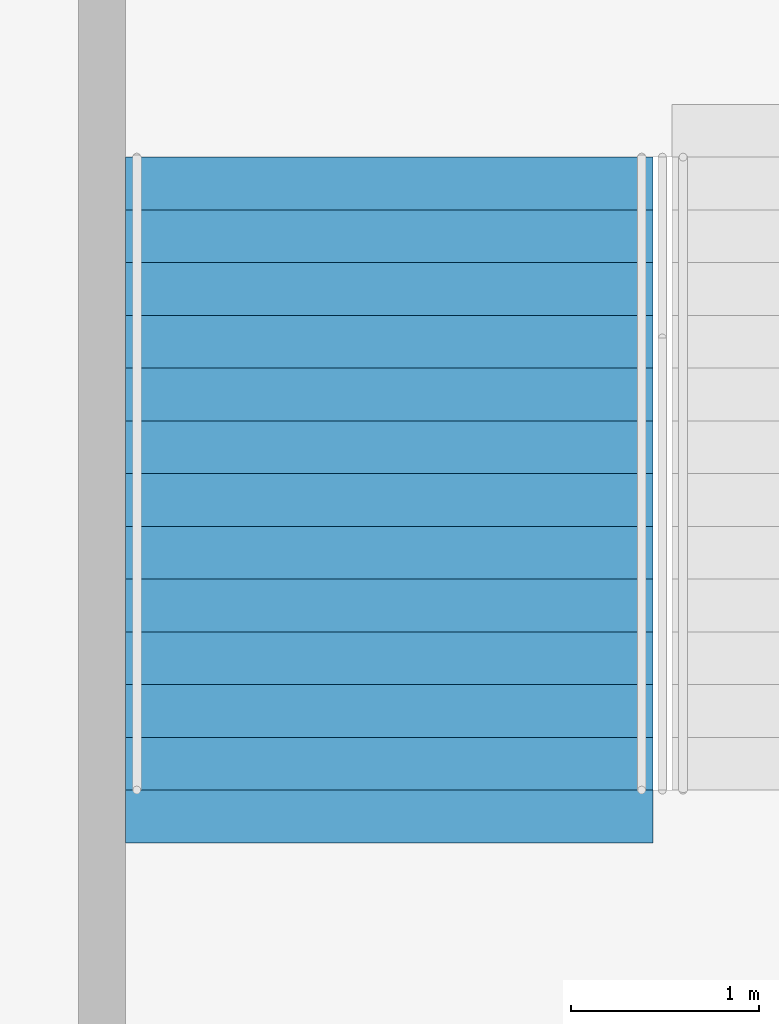
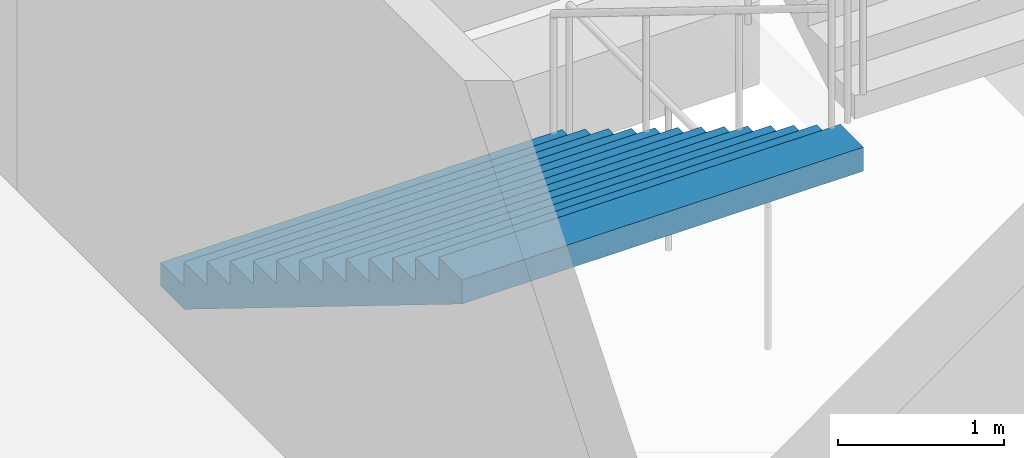
# One storey, part 117 of 199: 1 stair flight, 1 element without a shape of its own.
"""IFC4 building model written with IfcOpenShell, lengths in metres."""

from ifc_helpers import new_model, si_unit, direction, frame, origin, place, context, subcontext, project, spatial, faceted_brep, material, type_object, element, aggregate, save


model = new_model("IFC4")

# Units and contexts
model_context = context("Model", 3, precision=1e-05, world=origin(), true_north=direction((0.0, 1.0)))
body_context = subcontext(model_context, "Body", "Model", "MODEL_VIEW")
ifc_project = project(units=[si_unit("LENGTHUNIT", "METRE"), si_unit("AREAUNIT", "SQUARE_METRE"), si_unit("VOLUMEUNIT", "CUBIC_METRE"), si_unit("PLANEANGLEUNIT", "RADIAN"), si_unit("MASSUNIT", "GRAM", prefix="KILO")], contexts=[model_context])

# Site, building, storey
site_placement = place(None, origin())
site = spatial("IfcSite", under=ifc_project, at=site_placement, CompositionType="ELEMENT")
building_placement = place(site_placement, origin())
building = spatial("IfcBuilding", under=site, at=building_placement, Name="Ogive Plaza Stadium", CompositionType="ELEMENT")
storey_placement = place(building_placement, frame((0.0, 0.0, 9.0)))
storey = spatial("IfcBuildingStorey", under=building, at=storey_placement, Name="L02", CompositionType="ELEMENT", Elevation=9.0)

# Stair, stair flight
ifc_material_1 = material(Name="Concrete C40/50", Category="concrete")
stair_type = type_object("IfcStairType", Name="Exit stair", PredefinedType="STRAIGHT_RUN_STAIR", material=ifc_material_1)
stair_placement = place(storey_placement, origin())
stair = element("IfcStair", 1, at=stair_placement, inside=storey, type_object=stair_type, Name="Exit stair ST14A L02 to L03", PredefinedType="STRAIGHT_RUN_STAIR")
ifc_material_2 = material(Name="Concrete C40/50", Category="concrete")
stair_flight_type = type_object("IfcStairFlightType", Name="Exit stair flight", PredefinedType="STRAIGHT", material=ifc_material_2)
stair_flight_placement = place(storey_placement, frame((2.375, -94.85009765625, 0.0), z_axis=(0.0, 0.0, 1.0), x_axis=(0.0, -1.0, 0.0)))
stair_flight = element("IfcStairFlight", 2, at=stair_flight_placement, type_object=stair_flight_type, Name="ST14A flight 1", NumberOfRisers=13, NumberOfTreads=12, PredefinedType="STRAIGHT", RiserHeight=0.173076923, TreadLength=0.28, context=body_context, shape_type="Brep", body=[
    faceted_brep([(0.28515625, -1.39990234375, 0.0), (3.639892578125, -1.39990234375, 2.07373046875), (3.639892578125, -1.39990234375, 2.25), (3.360107421875, -1.39990234375, 2.25), (3.360107421875, -1.39990234375, 2.076904296875), (3.080078125, -1.39990234375, 2.076904296875), (3.080078125, -1.39990234375, 1.90380859375), (2.800048828125, -1.39990234375, 1.90380859375), (2.800048828125, -1.39990234375, 1.730712890625), (2.52001953125, -1.39990234375, 1.730712890625), (2.52001953125, -1.39990234375, 1.5576171875), (2.239990234375, -1.39990234375, 1.5576171875), (2.239990234375, -1.39990234375, 1.384521484375), (1.9599609375, -1.39990234375, 1.384521484375), (1.9599609375, -1.39990234375, 1.21142578125), (1.679931640625, -1.39990234375, 1.21142578125), (1.679931640625, -1.39990234375, 1.03857421875), (1.39990234375, -1.39990234375, 1.03857421875), (1.39990234375, -1.39990234375, 0.865478515625), (1.1201171875, -1.39990234375, 0.865478515625), (1.1201171875, -1.39990234375, 0.6923828125), (0.840087890625, -1.39990234375, 0.6923828125), (0.840087890625, -1.39990234375, 0.519287109375), (0.56005859375, -1.39990234375, 0.519287109375), (0.56005859375, -1.39990234375, 0.34619140625), (0.280029296875, -1.39990234375, 0.34619140625), (0.280029296875, -1.39990234375, 0.173095703125), (0.0, -1.39990234375, 0.173095703125), (0.0, -1.39990234375, 0.0), (0.0, 1.39990234375, 0.0), (0.0, 1.39990234375, 0.173095703125), (0.280029296875, 1.39990234375, 0.173095703125), (0.280029296875, 1.39990234375, 0.34619140625), (0.56005859375, 1.39990234375, 0.34619140625), (0.56005859375, 1.39990234375, 0.519287109375), (0.840087890625, 1.39990234375, 0.519287109375), (0.840087890625, 1.39990234375, 0.6923828125), (1.1201171875, 1.39990234375, 0.6923828125), (1.1201171875, 1.39990234375, 0.865478515625), (1.39990234375, 1.39990234375, 0.865478515625), (1.39990234375, 1.39990234375, 1.03857421875), (1.679931640625, 1.39990234375, 1.03857421875), (1.679931640625, 1.39990234375, 1.21142578125), (1.9599609375, 1.39990234375, 1.21142578125), (1.9599609375, 1.39990234375, 1.384521484375), (2.239990234375, 1.39990234375, 1.384521484375), (2.239990234375, 1.39990234375, 1.5576171875), (2.52001953125, 1.39990234375, 1.5576171875), (2.52001953125, 1.39990234375, 1.730712890625), (2.800048828125, 1.39990234375, 1.730712890625), (2.800048828125, 1.39990234375, 1.90380859375), (3.080078125, 1.39990234375, 1.90380859375), (3.080078125, 1.39990234375, 2.076904296875), (3.360107421875, 1.39990234375, 2.076904296875), (3.360107421875, 1.39990234375, 2.25), (3.639892578125, 1.39990234375, 2.25), (3.639892578125, 1.39990234375, 2.07373046875), (0.28515625, 1.39990234375, 0.0), (0.28515625, -1.0888671875, 0.0), (3.639892578125, -1.0888671875, 2.07373046875), (0.28515625, -0.77783203125, 0.0), (3.639892578125, -0.77783203125, 2.07373046875), (0.28515625, -0.466796875, 0.0), (3.639892578125, -0.466796875, 2.07373046875), (0.28515625, -0.155517578125, 0.0), (3.639892578125, -0.155517578125, 2.07373046875), (0.28515625, 0.155517578125, 0.0), (3.639892578125, 0.155517578125, 2.07373046875), (0.28515625, 0.466796875, 0.0), (3.639892578125, 0.466796875, 2.07373046875), (0.28515625, 0.77783203125, 0.0), (3.639892578125, 0.77783203125, 2.07373046875), (0.28515625, 1.0888671875, 0.0), (3.639892578125, 1.0888671875, 2.07373046875), (3.639892578125, -1.0888671875, 2.25), (3.639892578125, -0.77783203125, 2.25), (3.639892578125, -0.466796875, 2.25), (3.639892578125, -0.155517578125, 2.25), (3.639892578125, 0.155517578125, 2.25), (3.639892578125, 0.466796875, 2.25), (3.639892578125, 0.77783203125, 2.25), (3.639892578125, 1.0888671875, 2.25), (3.360107421875, -1.0888671875, 2.25), (3.360107421875, -0.77783203125, 2.25), (3.360107421875, -0.466796875, 2.25), (3.360107421875, -0.155517578125, 2.25), (3.360107421875, 0.155517578125, 2.25), (3.360107421875, 0.466796875, 2.25), (3.360107421875, 0.77783203125, 2.25), (3.360107421875, 1.0888671875, 2.25), (3.360107421875, -1.0888671875, 2.076904296875), (3.360107421875, -0.77783203125, 2.076904296875), (3.360107421875, -0.466796875, 2.076904296875), (3.360107421875, -0.155517578125, 2.076904296875), (3.360107421875, 0.155517578125, 2.076904296875), (3.360107421875, 0.466796875, 2.076904296875), (3.360107421875, 0.77783203125, 2.076904296875), (3.360107421875, 1.0888671875, 2.076904296875), (3.080078125, -1.0888671875, 2.076904296875), (3.080078125, -0.77783203125, 2.076904296875), (3.080078125, -0.466796875, 2.076904296875), (3.080078125, -0.155517578125, 2.076904296875), (3.080078125, 0.155517578125, 2.076904296875), (3.080078125, 0.466796875, 2.076904296875), (3.080078125, 0.77783203125, 2.076904296875), (3.080078125, 1.0888671875, 2.076904296875), (3.080078125, -1.0888671875, 1.90380859375), (3.080078125, -0.77783203125, 1.90380859375), (3.080078125, -0.466796875, 1.90380859375), (3.080078125, -0.155517578125, 1.90380859375), (3.080078125, 0.155517578125, 1.90380859375), (3.080078125, 0.466796875, 1.90380859375), (3.080078125, 0.77783203125, 1.90380859375), (3.080078125, 1.0888671875, 1.90380859375), (2.800048828125, -1.0888671875, 1.90380859375), (2.800048828125, -0.77783203125, 1.90380859375), (2.800048828125, -0.466796875, 1.90380859375), (2.800048828125, -0.155517578125, 1.90380859375), (2.800048828125, 0.155517578125, 1.90380859375), (2.800048828125, 0.466796875, 1.90380859375), (2.800048828125, 0.77783203125, 1.90380859375), (2.800048828125, 1.0888671875, 1.90380859375), (2.800048828125, -1.0888671875, 1.730712890625), (2.800048828125, -0.77783203125, 1.730712890625), (2.800048828125, -0.466796875, 1.730712890625), (2.800048828125, -0.155517578125, 1.730712890625), (2.800048828125, 0.155517578125, 1.730712890625), (2.800048828125, 0.466796875, 1.730712890625), (2.800048828125, 0.77783203125, 1.730712890625), (2.800048828125, 1.0888671875, 1.730712890625), (2.52001953125, -1.0888671875, 1.730712890625), (2.52001953125, -0.77783203125, 1.730712890625), (2.52001953125, -0.466796875, 1.730712890625), (2.52001953125, -0.155517578125, 1.730712890625), (2.52001953125, 0.155517578125, 1.730712890625), (2.52001953125, 0.466796875, 1.730712890625), (2.52001953125, 0.77783203125, 1.730712890625), (2.52001953125, 1.0888671875, 1.730712890625), (2.52001953125, -1.0888671875, 1.5576171875), (2.52001953125, -0.77783203125, 1.5576171875), (2.52001953125, -0.466796875, 1.5576171875), (2.52001953125, -0.155517578125, 1.5576171875), (2.52001953125, 0.155517578125, 1.5576171875), (2.52001953125, 0.466796875, 1.5576171875), (2.52001953125, 0.77783203125, 1.5576171875), (2.52001953125, 1.0888671875, 1.5576171875), (2.239990234375, -1.0888671875, 1.5576171875), (2.239990234375, -0.77783203125, 1.5576171875), (2.239990234375, -0.466796875, 1.5576171875), (2.239990234375, -0.155517578125, 1.5576171875), (2.239990234375, 0.155517578125, 1.5576171875), (2.239990234375, 0.466796875, 1.5576171875), (2.239990234375, 0.77783203125, 1.5576171875), (2.239990234375, 1.0888671875, 1.5576171875), (2.239990234375, -1.0888671875, 1.384521484375), (2.239990234375, -0.77783203125, 1.384521484375), (2.239990234375, -0.466796875, 1.384521484375), (2.239990234375, -0.155517578125, 1.384521484375), (2.239990234375, 0.155517578125, 1.384521484375), (2.239990234375, 0.466796875, 1.384521484375), (2.239990234375, 0.77783203125, 1.384521484375), (2.239990234375, 1.0888671875, 1.384521484375), (1.9599609375, -1.0888671875, 1.384521484375), (1.9599609375, -0.77783203125, 1.384521484375), (1.9599609375, -0.466796875, 1.384521484375), (1.9599609375, -0.155517578125, 1.384521484375), (1.9599609375, 0.155517578125, 1.384521484375), (1.9599609375, 0.466796875, 1.384521484375), (1.9599609375, 0.77783203125, 1.384521484375), (1.9599609375, 1.0888671875, 1.384521484375), (1.9599609375, -1.0888671875, 1.21142578125), (1.9599609375, -0.77783203125, 1.21142578125), (1.9599609375, -0.466796875, 1.21142578125), (1.9599609375, -0.155517578125, 1.21142578125), (1.9599609375, 0.155517578125, 1.21142578125), (1.9599609375, 0.466796875, 1.21142578125), (1.9599609375, 0.77783203125, 1.21142578125), (1.9599609375, 1.0888671875, 1.21142578125), (1.679931640625, -1.0888671875, 1.21142578125), (1.679931640625, -0.77783203125, 1.21142578125), (1.679931640625, -0.466796875, 1.21142578125), (1.679931640625, -0.155517578125, 1.21142578125), (1.679931640625, 0.155517578125, 1.21142578125), (1.679931640625, 0.466796875, 1.21142578125), (1.679931640625, 0.77783203125, 1.21142578125), (1.679931640625, 1.0888671875, 1.21142578125), (1.679931640625, -1.0888671875, 1.03857421875), (1.679931640625, -0.77783203125, 1.03857421875), (1.679931640625, -0.466796875, 1.03857421875), (1.679931640625, -0.155517578125, 1.03857421875), (1.679931640625, 0.155517578125, 1.03857421875), (1.679931640625, 0.466796875, 1.03857421875), (1.679931640625, 0.77783203125, 1.03857421875), (1.679931640625, 1.0888671875, 1.03857421875), (1.39990234375, -1.0888671875, 1.03857421875), (1.39990234375, -0.77783203125, 1.03857421875), (1.39990234375, -0.466796875, 1.03857421875), (1.39990234375, -0.155517578125, 1.03857421875), (1.39990234375, 0.155517578125, 1.03857421875), (1.39990234375, 0.466796875, 1.03857421875), (1.39990234375, 0.77783203125, 1.03857421875), (1.39990234375, 1.0888671875, 1.03857421875), (1.39990234375, -1.0888671875, 0.865478515625), (1.39990234375, -0.77783203125, 0.865478515625), (1.39990234375, -0.466796875, 0.865478515625), (1.39990234375, -0.155517578125, 0.865478515625), (1.39990234375, 0.155517578125, 0.865478515625), (1.39990234375, 0.466796875, 0.865478515625), (1.39990234375, 0.77783203125, 0.865478515625), (1.39990234375, 1.0888671875, 0.865478515625), (1.1201171875, -1.0888671875, 0.865478515625), (1.1201171875, -0.77783203125, 0.865478515625), (1.1201171875, -0.466796875, 0.865478515625), (1.1201171875, -0.155517578125, 0.865478515625), (1.1201171875, 0.155517578125, 0.865478515625), (1.1201171875, 0.466796875, 0.865478515625), (1.1201171875, 0.77783203125, 0.865478515625), (1.1201171875, 1.0888671875, 0.865478515625), (1.1201171875, -1.0888671875, 0.6923828125), (1.1201171875, -0.77783203125, 0.6923828125), (1.1201171875, -0.466796875, 0.6923828125), (1.1201171875, -0.155517578125, 0.6923828125), (1.1201171875, 0.155517578125, 0.6923828125), (1.1201171875, 0.466796875, 0.6923828125), (1.1201171875, 0.77783203125, 0.6923828125), (1.1201171875, 1.0888671875, 0.6923828125), (0.840087890625, -1.0888671875, 0.6923828125), (0.840087890625, -0.77783203125, 0.6923828125), (0.840087890625, -0.466796875, 0.6923828125), (0.840087890625, -0.155517578125, 0.6923828125), (0.840087890625, 0.155517578125, 0.6923828125), (0.840087890625, 0.466796875, 0.6923828125), (0.840087890625, 0.77783203125, 0.6923828125), (0.840087890625, 1.0888671875, 0.6923828125), (0.840087890625, -1.0888671875, 0.519287109375), (0.840087890625, -0.77783203125, 0.519287109375), (0.840087890625, -0.466796875, 0.519287109375), (0.840087890625, -0.155517578125, 0.519287109375), (0.840087890625, 0.155517578125, 0.519287109375), (0.840087890625, 0.466796875, 0.519287109375), (0.840087890625, 0.77783203125, 0.519287109375), (0.840087890625, 1.0888671875, 0.519287109375), (0.56005859375, -1.0888671875, 0.519287109375), (0.56005859375, -0.77783203125, 0.519287109375), (0.56005859375, -0.466796875, 0.519287109375), (0.56005859375, -0.155517578125, 0.519287109375), (0.56005859375, 0.155517578125, 0.519287109375), (0.56005859375, 0.466796875, 0.519287109375), (0.56005859375, 0.77783203125, 0.519287109375), (0.56005859375, 1.0888671875, 0.519287109375), (0.56005859375, -1.0888671875, 0.34619140625), (0.56005859375, -0.77783203125, 0.34619140625), (0.56005859375, -0.466796875, 0.34619140625), (0.56005859375, -0.155517578125, 0.34619140625), (0.56005859375, 0.155517578125, 0.34619140625), (0.56005859375, 0.466796875, 0.34619140625), (0.56005859375, 0.77783203125, 0.34619140625), (0.56005859375, 1.0888671875, 0.34619140625), (0.280029296875, -1.0888671875, 0.34619140625), (0.280029296875, -0.77783203125, 0.34619140625), (0.280029296875, -0.466796875, 0.34619140625), (0.280029296875, -0.155517578125, 0.34619140625), (0.280029296875, 0.155517578125, 0.34619140625), (0.280029296875, 0.466796875, 0.34619140625), (0.280029296875, 0.77783203125, 0.34619140625), (0.280029296875, 1.0888671875, 0.34619140625), (0.280029296875, -1.0888671875, 0.173095703125), (0.280029296875, -0.77783203125, 0.173095703125), (0.280029296875, -0.466796875, 0.173095703125), (0.280029296875, -0.155517578125, 0.173095703125), (0.280029296875, 0.155517578125, 0.173095703125), (0.280029296875, 0.466796875, 0.173095703125), (0.280029296875, 0.77783203125, 0.173095703125), (0.280029296875, 1.0888671875, 0.173095703125), (0.0, -1.0888671875, 0.173095703125), (0.0, -0.77783203125, 0.173095703125), (0.0, -0.466796875, 0.173095703125), (0.0, -0.155517578125, 0.173095703125), (0.0, 0.155517578125, 0.173095703125), (0.0, 0.466796875, 0.173095703125), (0.0, 0.77783203125, 0.173095703125), (0.0, 1.0888671875, 0.173095703125), (0.0, -1.0888671875, 0.0), (0.0, -0.77783203125, 0.0), (0.0, -0.466796875, 0.0), (0.0, -0.155517578125, 0.0), (0.0, 0.155517578125, 0.0), (0.0, 0.466796875, 0.0), (0.0, 0.77783203125, 0.0), (0.0, 1.0888671875, 0.0)], [[[0, 1, 2, 3, 4, 5, 6, 7, 8, 9, 10, 11, 12, 13, 14, 15, 16, 17, 18, 19, 20, 21, 22, 23, 24, 25, 26, 27, 28]], [[29, 30, 31, 32, 33, 34, 35, 36, 37, 38, 39, 40, 41, 42, 43, 44, 45, 46, 47, 48, 49, 50, 51, 52, 53, 54, 55, 56, 57]], [[0, 58, 59, 1]], [[58, 60, 61, 59]], [[60, 62, 63, 61]], [[62, 64, 65, 63]], [[64, 66, 67, 65]], [[66, 68, 69, 67]], [[68, 70, 71, 69]], [[70, 72, 73, 71]], [[72, 57, 56, 73]], [[1, 59, 74, 2]], [[59, 61, 75, 74]], [[61, 63, 76, 75]], [[63, 65, 77, 76]], [[65, 67, 78, 77]], [[67, 69, 79, 78]], [[69, 71, 80, 79]], [[71, 73, 81, 80]], [[73, 56, 55, 81]], [[2, 74, 82, 3]], [[74, 75, 83, 82]], [[75, 76, 84, 83]], [[76, 77, 85, 84]], [[77, 78, 86, 85]], [[78, 79, 87, 86]], [[79, 80, 88, 87]], [[80, 81, 89, 88]], [[81, 55, 54, 89]], [[3, 82, 90, 4]], [[82, 83, 91, 90]], [[83, 84, 92, 91]], [[84, 85, 93, 92]], [[85, 86, 94, 93]], [[86, 87, 95, 94]], [[87, 88, 96, 95]], [[88, 89, 97, 96]], [[89, 54, 53, 97]], [[4, 90, 98, 5]], [[90, 91, 99, 98]], [[91, 92, 100, 99]], [[92, 93, 101, 100]], [[93, 94, 102, 101]], [[94, 95, 103, 102]], [[95, 96, 104, 103]], [[96, 97, 105, 104]], [[97, 53, 52, 105]], [[5, 98, 106, 6]], [[98, 99, 107, 106]], [[99, 100, 108, 107]], [[100, 101, 109, 108]], [[101, 102, 110, 109]], [[102, 103, 111, 110]], [[103, 104, 112, 111]], [[104, 105, 113, 112]], [[105, 52, 51, 113]], [[6, 106, 114, 7]], [[106, 107, 115, 114]], [[107, 108, 116, 115]], [[108, 109, 117, 116]], [[109, 110, 118, 117]], [[110, 111, 119, 118]], [[111, 112, 120, 119]], [[112, 113, 121, 120]], [[113, 51, 50, 121]], [[7, 114, 122, 8]], [[114, 115, 123, 122]], [[115, 116, 124, 123]], [[116, 117, 125, 124]], [[117, 118, 126, 125]], [[118, 119, 127, 126]], [[119, 120, 128, 127]], [[120, 121, 129, 128]], [[121, 50, 49, 129]], [[8, 122, 130, 9]], [[122, 123, 131, 130]], [[123, 124, 132, 131]], [[124, 125, 133, 132]], [[125, 126, 134, 133]], [[126, 127, 135, 134]], [[127, 128, 136, 135]], [[128, 129, 137, 136]], [[129, 49, 48, 137]], [[9, 130, 138, 10]], [[130, 131, 139, 138]], [[131, 132, 140, 139]], [[132, 133, 141, 140]], [[133, 134, 142, 141]], [[134, 135, 143, 142]], [[135, 136, 144, 143]], [[136, 137, 145, 144]], [[137, 48, 47, 145]], [[10, 138, 146, 11]], [[138, 139, 147, 146]], [[139, 140, 148, 147]], [[140, 141, 149, 148]], [[141, 142, 150, 149]], [[142, 143, 151, 150]], [[143, 144, 152, 151]], [[144, 145, 153, 152]], [[145, 47, 46, 153]], [[11, 146, 154, 12]], [[146, 147, 155, 154]], [[147, 148, 156, 155]], [[148, 149, 157, 156]], [[149, 150, 158, 157]], [[150, 151, 159, 158]], [[151, 152, 160, 159]], [[152, 153, 161, 160]], [[153, 46, 45, 161]], [[12, 154, 162, 13]], [[154, 155, 163, 162]], [[155, 156, 164, 163]], [[156, 157, 165, 164]], [[157, 158, 166, 165]], [[158, 159, 167, 166]], [[159, 160, 168, 167]], [[160, 161, 169, 168]], [[161, 45, 44, 169]], [[13, 162, 170, 14]], [[162, 163, 171, 170]], [[163, 164, 172, 171]], [[164, 165, 173, 172]], [[165, 166, 174, 173]], [[166, 167, 175, 174]], [[167, 168, 176, 175]], [[168, 169, 177, 176]], [[169, 44, 43, 177]], [[14, 170, 178, 15]], [[170, 171, 179, 178]], [[171, 172, 180, 179]], [[172, 173, 181, 180]], [[173, 174, 182, 181]], [[174, 175, 183, 182]], [[175, 176, 184, 183]], [[176, 177, 185, 184]], [[177, 43, 42, 185]], [[15, 178, 186, 16]], [[178, 179, 187, 186]], [[179, 180, 188, 187]], [[180, 181, 189, 188]], [[181, 182, 190, 189]], [[182, 183, 191, 190]], [[183, 184, 192, 191]], [[184, 185, 193, 192]], [[185, 42, 41, 193]], [[16, 186, 194, 17]], [[186, 187, 195, 194]], [[187, 188, 196, 195]], [[188, 189, 197, 196]], [[189, 190, 198, 197]], [[190, 191, 199, 198]], [[191, 192, 200, 199]], [[192, 193, 201, 200]], [[193, 41, 40, 201]], [[17, 194, 202, 18]], [[194, 195, 203, 202]], [[195, 196, 204, 203]], [[196, 197, 205, 204]], [[197, 198, 206, 205]], [[198, 199, 207, 206]], [[199, 200, 208, 207]], [[200, 201, 209, 208]], [[201, 40, 39, 209]], [[18, 202, 210, 19]], [[202, 203, 211, 210]], [[203, 204, 212, 211]], [[204, 205, 213, 212]], [[205, 206, 214, 213]], [[206, 207, 215, 214]], [[207, 208, 216, 215]], [[208, 209, 217, 216]], [[209, 39, 38, 217]], [[19, 210, 218, 20]], [[210, 211, 219, 218]], [[211, 212, 220, 219]], [[212, 213, 221, 220]], [[213, 214, 222, 221]], [[214, 215, 223, 222]], [[215, 216, 224, 223]], [[216, 217, 225, 224]], [[217, 38, 37, 225]], [[20, 218, 226, 21]], [[218, 219, 227, 226]], [[219, 220, 228, 227]], [[220, 221, 229, 228]], [[221, 222, 230, 229]], [[222, 223, 231, 230]], [[223, 224, 232, 231]], [[224, 225, 233, 232]], [[225, 37, 36, 233]], [[21, 226, 234, 22]], [[226, 227, 235, 234]], [[227, 228, 236, 235]], [[228, 229, 237, 236]], [[229, 230, 238, 237]], [[230, 231, 239, 238]], [[231, 232, 240, 239]], [[232, 233, 241, 240]], [[233, 36, 35, 241]], [[22, 234, 242, 23]], [[234, 235, 243, 242]], [[235, 236, 244, 243]], [[236, 237, 245, 244]], [[237, 238, 246, 245]], [[238, 239, 247, 246]], [[239, 240, 248, 247]], [[240, 241, 249, 248]], [[241, 35, 34, 249]], [[23, 242, 250, 24]], [[242, 243, 251, 250]], [[243, 244, 252, 251]], [[244, 245, 253, 252]], [[245, 246, 254, 253]], [[246, 247, 255, 254]], [[247, 248, 256, 255]], [[248, 249, 257, 256]], [[249, 34, 33, 257]], [[24, 250, 258, 25]], [[250, 251, 259, 258]], [[251, 252, 260, 259]], [[252, 253, 261, 260]], [[253, 254, 262, 261]], [[254, 255, 263, 262]], [[255, 256, 264, 263]], [[256, 257, 265, 264]], [[257, 33, 32, 265]], [[25, 258, 266, 26]], [[258, 259, 267, 266]], [[259, 260, 268, 267]], [[260, 261, 269, 268]], [[261, 262, 270, 269]], [[262, 263, 271, 270]], [[263, 264, 272, 271]], [[264, 265, 273, 272]], [[265, 32, 31, 273]], [[26, 266, 274, 27]], [[266, 267, 275, 274]], [[267, 268, 276, 275]], [[268, 269, 277, 276]], [[269, 270, 278, 277]], [[270, 271, 279, 278]], [[271, 272, 280, 279]], [[272, 273, 281, 280]], [[273, 31, 30, 281]], [[27, 274, 282, 28]], [[274, 275, 283, 282]], [[275, 276, 284, 283]], [[276, 277, 285, 284]], [[277, 278, 286, 285]], [[278, 279, 287, 286]], [[279, 280, 288, 287]], [[280, 281, 289, 288]], [[281, 30, 29, 289]], [[28, 282, 58, 0]], [[282, 283, 60, 58]], [[283, 284, 62, 60]], [[284, 285, 64, 62]], [[285, 286, 66, 64]], [[286, 287, 68, 66]], [[287, 288, 70, 68]], [[288, 289, 72, 70]], [[289, 29, 57, 72]]]),
])
aggregate(stair, [stair_flight])

save(model, "model.ifc")
